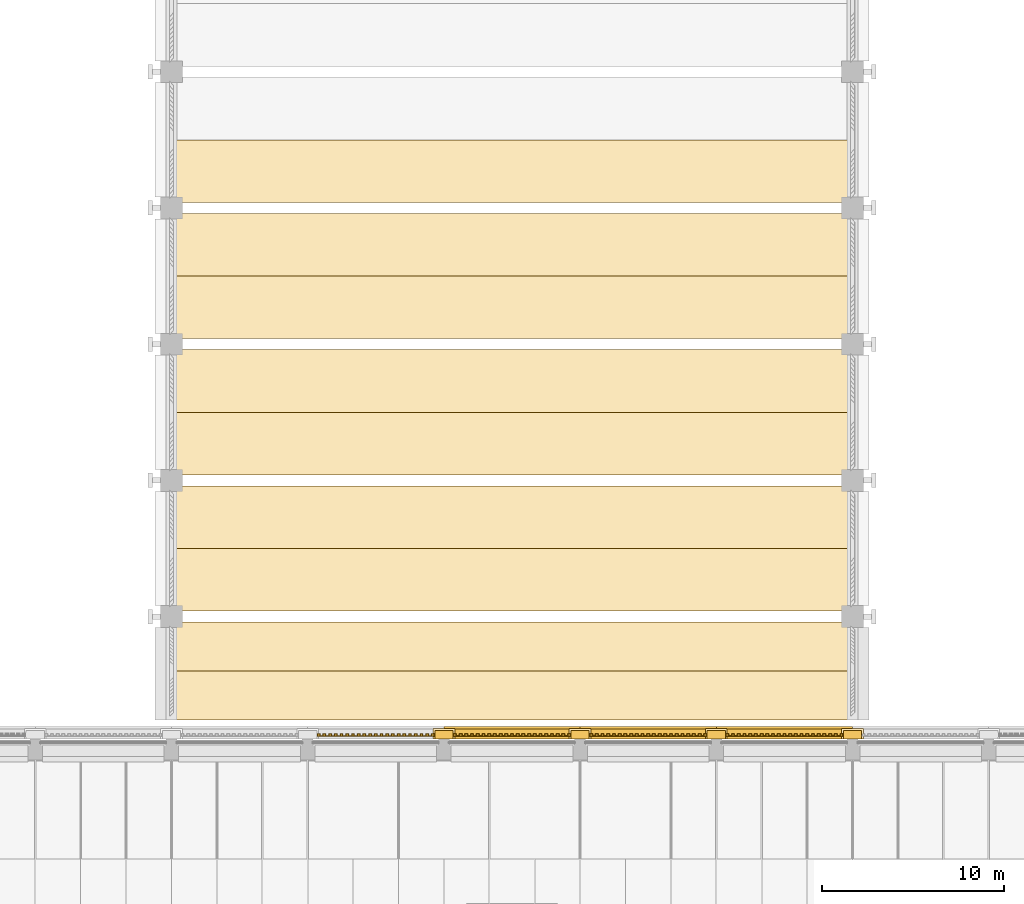
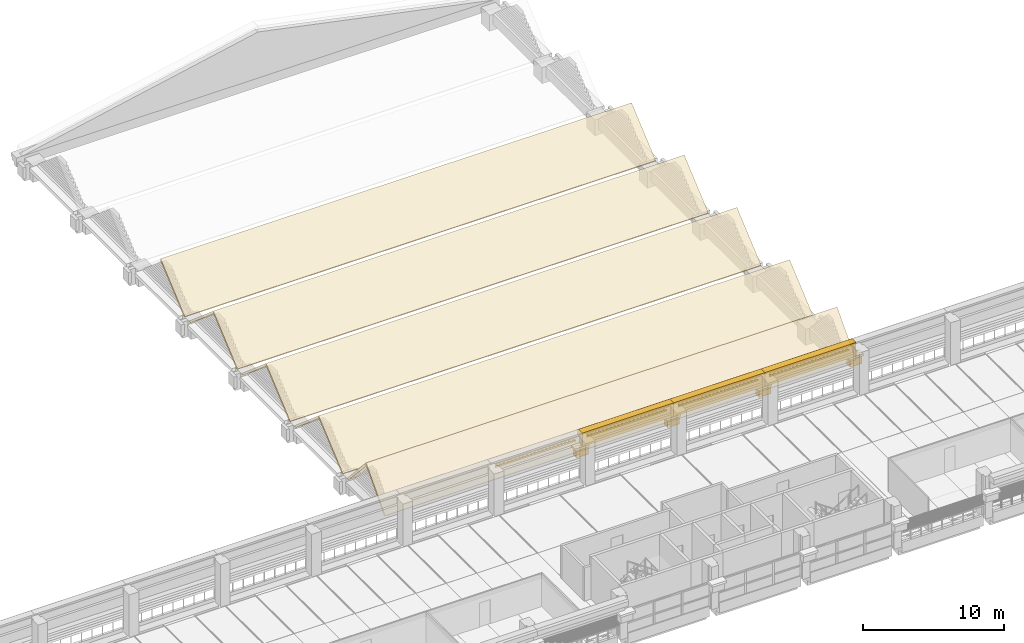
# One storey, part 54 of 71: 24 coverings, 5 elements without a shape of their own.
"""IFC4 building model written with IfcOpenShell, lengths in metres."""

from ifc_helpers import new_model, si_unit, direction, frame, origin, place, context, subcontext, project, spatial, polyline, outline, extrude, material, layer, layer_set, material_profile, profile_set, type_object, element, aggregate, save


model = new_model("IFC4")

# Units and contexts
model_context = context("Model", 3, precision=1e-05, world=origin(), true_north=direction((0.0, 1.0)))
body_context = subcontext(model_context, "Body", "Model", "MODEL_VIEW")
ifc_project = project(units=[si_unit("LENGTHUNIT", "METRE"), si_unit("AREAUNIT", "SQUARE_METRE"), si_unit("VOLUMEUNIT", "CUBIC_METRE"), si_unit("PLANEANGLEUNIT", "RADIAN"), si_unit("MASSUNIT", "GRAM", prefix="KILO")], contexts=[model_context])

# Site, building, storey
site_placement = place(None, origin())
site = spatial("IfcSite", under=ifc_project, at=site_placement, CompositionType="ELEMENT")
building_placement = place(site_placement, origin())
building = spatial("IfcBuilding", under=site, at=building_placement, Name="Cour d'Honneur Mobility Palace", CompositionType="ELEMENT")
storey_placement = place(building_placement, frame((0.0, 0.0, 15.60009765625)))
storey = spatial("IfcBuildingStorey", under=building, at=storey_placement, Name="L04", CompositionType="ELEMENT", Elevation=15.60009765625)

# Coverings
ifc_material_1 = material(Name="Cast limestone", Category="masonry")
ifc_layer_1 = layer(ifc_material_1, 0.14990234375)
ifc_layer_set_1 = layer_set([ifc_layer_1], Name="Cast limestone")
covering_type_1 = type_object("IfcCoveringType", Name="Dentil course", PredefinedType="CLADDING", material=ifc_layer_set_1)
covering_1_placement = place(storey_placement, frame((0.0, 0.0, 3.14990234375)))
element("IfcCovering", 1, at=covering_1_placement, inside=storey, type_object=covering_type_1, Name="Dentil course DC-101", PredefinedType="CLADDING", context=body_context, shape_type="SweptSolid", body=[
    extrude(outline(polyline([(99.449951171875, 63.300048828125), (92.85009765625, 63.300048828125), (92.85009765625, 63.330078125), (92.85009765625, 63.330078125), (92.928466796875, 63.330078125), (92.928466796875, 63.449951171875), (93.085693359375, 63.449951171875), (93.085693359375, 63.330078125), (93.164306640625, 63.330078125), (93.164306640625, 63.330078125), (93.242919921875, 63.330078125), (93.242919921875, 63.449951171875), (93.39990234375, 63.449951171875), (93.39990234375, 63.330078125), (93.478515625, 63.330078125), (93.478515625, 63.330078125), (93.55712890625, 63.330078125), (93.55712890625, 63.449951171875), (93.71435546875, 63.449951171875), (93.71435546875, 63.330078125), (93.79296875, 63.330078125), (93.79296875, 63.330078125), (93.871337890625, 63.330078125), (93.871337890625, 63.449951171875), (94.028564453125, 63.449951171875), (94.028564453125, 63.330078125), (94.107177734375, 63.330078125), (94.107177734375, 63.330078125), (94.185791015625, 63.330078125), (94.185791015625, 63.449951171875), (94.3427734375, 63.449951171875), (94.3427734375, 63.330078125), (94.42138671875, 63.330078125), (94.42138671875, 63.330078125), (94.5, 63.330078125), (94.5, 63.449951171875), (94.6572265625, 63.449951171875), (94.6572265625, 63.330078125), (94.735595703125, 63.330078125), (94.735595703125, 63.330078125), (94.814208984375, 63.330078125), (94.814208984375, 63.449951171875), (94.971435546875, 63.449951171875), (94.971435546875, 63.330078125), (95.050048828125, 63.330078125), (95.050048828125, 63.330078125), (95.128662109375, 63.330078125), (95.128662109375, 63.449951171875), (95.28564453125, 63.449951171875), (95.28564453125, 63.330078125), (95.3642578125, 63.330078125), (95.3642578125, 63.330078125), (95.44287109375, 63.330078125), (95.44287109375, 63.449951171875), (95.60009765625, 63.449951171875), (95.60009765625, 63.330078125), (95.678466796875, 63.330078125), (95.678466796875, 63.330078125), (95.757080078125, 63.330078125), (95.757080078125, 63.449951171875), (95.914306640625, 63.449951171875), (95.914306640625, 63.330078125), (95.992919921875, 63.330078125), (95.992919921875, 63.330078125), (96.071533203125, 63.330078125), (96.071533203125, 63.449951171875), (96.228515625, 63.449951171875), (96.228515625, 63.330078125), (96.30712890625, 63.330078125), (96.30712890625, 63.330078125), (96.3857421875, 63.330078125), (96.3857421875, 63.449951171875), (96.54296875, 63.449951171875), (96.54296875, 63.330078125), (96.621337890625, 63.330078125), (96.621337890625, 63.330078125), (96.699951171875, 63.330078125), (96.699951171875, 63.449951171875), (96.857177734375, 63.449951171875), (96.857177734375, 63.330078125), (96.935791015625, 63.330078125), (96.935791015625, 63.330078125), (97.014404296875, 63.330078125), (97.014404296875, 63.449951171875), (97.17138671875, 63.449951171875), (97.17138671875, 63.330078125), (97.25, 63.330078125), (97.25, 63.330078125), (97.32861328125, 63.330078125), (97.32861328125, 63.449951171875), (97.485595703125, 63.449951171875), (97.485595703125, 63.330078125), (97.564208984375, 63.330078125), (97.564208984375, 63.330078125), (97.642822265625, 63.330078125), (97.642822265625, 63.449951171875), (97.800048828125, 63.449951171875), (97.800048828125, 63.330078125), (97.878662109375, 63.330078125), (97.878662109375, 63.330078125), (97.95703125, 63.330078125), (97.95703125, 63.449951171875), (98.1142578125, 63.449951171875), (98.1142578125, 63.330078125), (98.19287109375, 63.330078125), (98.19287109375, 63.330078125), (98.271484375, 63.330078125), (98.271484375, 63.449951171875), (98.428466796875, 63.449951171875), (98.428466796875, 63.330078125), (98.507080078125, 63.330078125), (98.507080078125, 63.330078125), (98.585693359375, 63.330078125), (98.585693359375, 63.449951171875), (98.742919921875, 63.449951171875), (98.742919921875, 63.330078125), (98.821533203125, 63.330078125), (98.821533203125, 63.330078125), (98.89990234375, 63.330078125), (98.89990234375, 63.449951171875), (99.05712890625, 63.449951171875), (99.05712890625, 63.330078125), (99.1357421875, 63.330078125), (99.1357421875, 63.330078125), (99.21435546875, 63.330078125), (99.21435546875, 63.449951171875), (99.371337890625, 63.449951171875), (99.371337890625, 63.330078125), (99.449951171875, 63.330078125), (99.449951171875, 63.300048828125)])), origin(), (0.0, 0.0, 1.0), 0.14990234375),
])
covering_2_placement = place(storey_placement, frame((0.0, 0.0, 3.14990234375)))
element("IfcCovering", 2, at=covering_2_placement, inside=storey, type_object=covering_type_1, Name="Dentil course DC-102", PredefinedType="CLADDING", context=body_context, shape_type="SweptSolid", body=[
    extrude(outline(polyline([(91.949951171875, 63.300048828125), (85.35009765625, 63.300048828125), (85.35009765625, 63.330078125), (85.35009765625, 63.330078125), (85.428466796875, 63.330078125), (85.428466796875, 63.449951171875), (85.585693359375, 63.449951171875), (85.585693359375, 63.330078125), (85.664306640625, 63.330078125), (85.664306640625, 63.330078125), (85.742919921875, 63.330078125), (85.742919921875, 63.449951171875), (85.89990234375, 63.449951171875), (85.89990234375, 63.330078125), (85.978515625, 63.330078125), (85.978515625, 63.330078125), (86.05712890625, 63.330078125), (86.05712890625, 63.449951171875), (86.21435546875, 63.449951171875), (86.21435546875, 63.330078125), (86.29296875, 63.330078125), (86.29296875, 63.330078125), (86.371337890625, 63.330078125), (86.371337890625, 63.449951171875), (86.528564453125, 63.449951171875), (86.528564453125, 63.330078125), (86.607177734375, 63.330078125), (86.607177734375, 63.330078125), (86.685791015625, 63.330078125), (86.685791015625, 63.449951171875), (86.8427734375, 63.449951171875), (86.8427734375, 63.330078125), (86.92138671875, 63.330078125), (86.92138671875, 63.330078125), (87.0, 63.330078125), (87.0, 63.449951171875), (87.1572265625, 63.449951171875), (87.1572265625, 63.330078125), (87.235595703125, 63.330078125), (87.235595703125, 63.330078125), (87.314208984375, 63.330078125), (87.314208984375, 63.449951171875), (87.471435546875, 63.449951171875), (87.471435546875, 63.330078125), (87.550048828125, 63.330078125), (87.550048828125, 63.330078125), (87.628662109375, 63.330078125), (87.628662109375, 63.449951171875), (87.78564453125, 63.449951171875), (87.78564453125, 63.330078125), (87.8642578125, 63.330078125), (87.8642578125, 63.330078125), (87.94287109375, 63.330078125), (87.94287109375, 63.449951171875), (88.10009765625, 63.449951171875), (88.10009765625, 63.330078125), (88.178466796875, 63.330078125), (88.178466796875, 63.330078125), (88.257080078125, 63.330078125), (88.257080078125, 63.449951171875), (88.414306640625, 63.449951171875), (88.414306640625, 63.330078125), (88.492919921875, 63.330078125), (88.492919921875, 63.330078125), (88.571533203125, 63.330078125), (88.571533203125, 63.449951171875), (88.728515625, 63.449951171875), (88.728515625, 63.330078125), (88.80712890625, 63.330078125), (88.80712890625, 63.330078125), (88.8857421875, 63.330078125), (88.8857421875, 63.449951171875), (89.04296875, 63.449951171875), (89.04296875, 63.330078125), (89.121337890625, 63.330078125), (89.121337890625, 63.330078125), (89.199951171875, 63.330078125), (89.199951171875, 63.449951171875), (89.357177734375, 63.449951171875), (89.357177734375, 63.330078125), (89.435791015625, 63.330078125), (89.435791015625, 63.330078125), (89.514404296875, 63.330078125), (89.514404296875, 63.449951171875), (89.67138671875, 63.449951171875), (89.67138671875, 63.330078125), (89.75, 63.330078125), (89.75, 63.330078125), (89.82861328125, 63.330078125), (89.82861328125, 63.449951171875), (89.985595703125, 63.449951171875), (89.985595703125, 63.330078125), (90.064208984375, 63.330078125), (90.064208984375, 63.330078125), (90.142822265625, 63.330078125), (90.142822265625, 63.449951171875), (90.300048828125, 63.449951171875), (90.300048828125, 63.330078125), (90.378662109375, 63.330078125), (90.378662109375, 63.330078125), (90.45703125, 63.330078125), (90.45703125, 63.449951171875), (90.6142578125, 63.449951171875), (90.6142578125, 63.330078125), (90.69287109375, 63.330078125), (90.69287109375, 63.330078125), (90.771484375, 63.330078125), (90.771484375, 63.449951171875), (90.928466796875, 63.449951171875), (90.928466796875, 63.330078125), (91.007080078125, 63.330078125), (91.007080078125, 63.330078125), (91.085693359375, 63.330078125), (91.085693359375, 63.449951171875), (91.242919921875, 63.449951171875), (91.242919921875, 63.330078125), (91.321533203125, 63.330078125), (91.321533203125, 63.330078125), (91.39990234375, 63.330078125), (91.39990234375, 63.449951171875), (91.55712890625, 63.449951171875), (91.55712890625, 63.330078125), (91.6357421875, 63.330078125), (91.6357421875, 63.330078125), (91.71435546875, 63.330078125), (91.71435546875, 63.449951171875), (91.871337890625, 63.449951171875), (91.871337890625, 63.330078125), (91.949951171875, 63.330078125), (91.949951171875, 63.300048828125)])), origin(), (0.0, 0.0, 1.0), 0.14990234375),
])
covering_3_placement = place(storey_placement, frame((0.0, 0.0, 3.14990234375)))
element("IfcCovering", 3, at=covering_3_placement, inside=storey, type_object=covering_type_1, Name="Dentil course DC-103", PredefinedType="CLADDING", context=body_context, shape_type="SweptSolid", body=[
    extrude(outline(polyline([(84.449951171875, 63.300048828125), (77.85009765625, 63.300048828125), (77.85009765625, 63.330078125), (77.85009765625, 63.330078125), (77.928466796875, 63.330078125), (77.928466796875, 63.449951171875), (78.085693359375, 63.449951171875), (78.085693359375, 63.330078125), (78.164306640625, 63.330078125), (78.164306640625, 63.330078125), (78.242919921875, 63.330078125), (78.242919921875, 63.449951171875), (78.39990234375, 63.449951171875), (78.39990234375, 63.330078125), (78.478515625, 63.330078125), (78.478515625, 63.330078125), (78.55712890625, 63.330078125), (78.55712890625, 63.449951171875), (78.71435546875, 63.449951171875), (78.71435546875, 63.330078125), (78.79296875, 63.330078125), (78.79296875, 63.330078125), (78.871337890625, 63.330078125), (78.871337890625, 63.449951171875), (79.028564453125, 63.449951171875), (79.028564453125, 63.330078125), (79.107177734375, 63.330078125), (79.107177734375, 63.330078125), (79.185791015625, 63.330078125), (79.185791015625, 63.449951171875), (79.3427734375, 63.449951171875), (79.3427734375, 63.330078125), (79.42138671875, 63.330078125), (79.42138671875, 63.330078125), (79.5, 63.330078125), (79.5, 63.449951171875), (79.6572265625, 63.449951171875), (79.6572265625, 63.330078125), (79.735595703125, 63.330078125), (79.735595703125, 63.330078125), (79.814208984375, 63.330078125), (79.814208984375, 63.449951171875), (79.971435546875, 63.449951171875), (79.971435546875, 63.330078125), (80.050048828125, 63.330078125), (80.050048828125, 63.330078125), (80.128662109375, 63.330078125), (80.128662109375, 63.449951171875), (80.28564453125, 63.449951171875), (80.28564453125, 63.330078125), (80.3642578125, 63.330078125), (80.3642578125, 63.330078125), (80.44287109375, 63.330078125), (80.44287109375, 63.449951171875), (80.60009765625, 63.449951171875), (80.60009765625, 63.330078125), (80.678466796875, 63.330078125), (80.678466796875, 63.330078125), (80.757080078125, 63.330078125), (80.757080078125, 63.449951171875), (80.914306640625, 63.449951171875), (80.914306640625, 63.330078125), (80.992919921875, 63.330078125), (80.992919921875, 63.330078125), (81.071533203125, 63.330078125), (81.071533203125, 63.449951171875), (81.228515625, 63.449951171875), (81.228515625, 63.330078125), (81.30712890625, 63.330078125), (81.30712890625, 63.330078125), (81.3857421875, 63.330078125), (81.3857421875, 63.449951171875), (81.54296875, 63.449951171875), (81.54296875, 63.330078125), (81.621337890625, 63.330078125), (81.621337890625, 63.330078125), (81.699951171875, 63.330078125), (81.699951171875, 63.449951171875), (81.857177734375, 63.449951171875), (81.857177734375, 63.330078125), (81.935791015625, 63.330078125), (81.935791015625, 63.330078125), (82.014404296875, 63.330078125), (82.014404296875, 63.449951171875), (82.17138671875, 63.449951171875), (82.17138671875, 63.330078125), (82.25, 63.330078125), (82.25, 63.330078125), (82.32861328125, 63.330078125), (82.32861328125, 63.449951171875), (82.485595703125, 63.449951171875), (82.485595703125, 63.330078125), (82.564208984375, 63.330078125), (82.564208984375, 63.330078125), (82.642822265625, 63.330078125), (82.642822265625, 63.449951171875), (82.800048828125, 63.449951171875), (82.800048828125, 63.330078125), (82.878662109375, 63.330078125), (82.878662109375, 63.330078125), (82.95703125, 63.330078125), (82.95703125, 63.449951171875), (83.1142578125, 63.449951171875), (83.1142578125, 63.330078125), (83.19287109375, 63.330078125), (83.19287109375, 63.330078125), (83.271484375, 63.330078125), (83.271484375, 63.449951171875), (83.428466796875, 63.449951171875), (83.428466796875, 63.330078125), (83.507080078125, 63.330078125), (83.507080078125, 63.330078125), (83.585693359375, 63.330078125), (83.585693359375, 63.449951171875), (83.742919921875, 63.449951171875), (83.742919921875, 63.330078125), (83.821533203125, 63.330078125), (83.821533203125, 63.330078125), (83.89990234375, 63.330078125), (83.89990234375, 63.449951171875), (84.05712890625, 63.449951171875), (84.05712890625, 63.330078125), (84.1357421875, 63.330078125), (84.1357421875, 63.330078125), (84.21435546875, 63.330078125), (84.21435546875, 63.449951171875), (84.371337890625, 63.449951171875), (84.371337890625, 63.330078125), (84.449951171875, 63.330078125), (84.449951171875, 63.300048828125)])), origin(), (0.0, 0.0, 1.0), 0.14990234375),
])
covering_4_placement = place(storey_placement, frame((0.0, 0.0, 3.14990234375)))
element("IfcCovering", 4, at=covering_4_placement, inside=storey, type_object=covering_type_1, Name="Dentil course DC-104", PredefinedType="CLADDING", context=body_context, shape_type="SweptSolid", body=[
    extrude(outline(polyline([(76.949951171875, 63.300048828125), (70.35009765625, 63.300048828125), (70.35009765625, 63.330078125), (70.35009765625, 63.330078125), (70.428466796875, 63.330078125), (70.428466796875, 63.449951171875), (70.585693359375, 63.449951171875), (70.585693359375, 63.330078125), (70.664306640625, 63.330078125), (70.664306640625, 63.330078125), (70.742919921875, 63.330078125), (70.742919921875, 63.449951171875), (70.89990234375, 63.449951171875), (70.89990234375, 63.330078125), (70.978515625, 63.330078125), (70.978515625, 63.330078125), (71.05712890625, 63.330078125), (71.05712890625, 63.449951171875), (71.21435546875, 63.449951171875), (71.21435546875, 63.330078125), (71.29296875, 63.330078125), (71.29296875, 63.330078125), (71.371337890625, 63.330078125), (71.371337890625, 63.449951171875), (71.528564453125, 63.449951171875), (71.528564453125, 63.330078125), (71.607177734375, 63.330078125), (71.607177734375, 63.330078125), (71.685791015625, 63.330078125), (71.685791015625, 63.449951171875), (71.8427734375, 63.449951171875), (71.8427734375, 63.330078125), (71.92138671875, 63.330078125), (71.92138671875, 63.330078125), (72.0, 63.330078125), (72.0, 63.449951171875), (72.1572265625, 63.449951171875), (72.1572265625, 63.330078125), (72.235595703125, 63.330078125), (72.235595703125, 63.330078125), (72.314208984375, 63.330078125), (72.314208984375, 63.449951171875), (72.471435546875, 63.449951171875), (72.471435546875, 63.330078125), (72.550048828125, 63.330078125), (72.550048828125, 63.330078125), (72.628662109375, 63.330078125), (72.628662109375, 63.449951171875), (72.78564453125, 63.449951171875), (72.78564453125, 63.330078125), (72.8642578125, 63.330078125), (72.8642578125, 63.330078125), (72.94287109375, 63.330078125), (72.94287109375, 63.449951171875), (73.10009765625, 63.449951171875), (73.10009765625, 63.330078125), (73.178466796875, 63.330078125), (73.178466796875, 63.330078125), (73.257080078125, 63.330078125), (73.257080078125, 63.449951171875), (73.414306640625, 63.449951171875), (73.414306640625, 63.330078125), (73.492919921875, 63.330078125), (73.492919921875, 63.330078125), (73.571533203125, 63.330078125), (73.571533203125, 63.449951171875), (73.728515625, 63.449951171875), (73.728515625, 63.330078125), (73.80712890625, 63.330078125), (73.80712890625, 63.330078125), (73.8857421875, 63.330078125), (73.8857421875, 63.449951171875), (74.04296875, 63.449951171875), (74.04296875, 63.330078125), (74.121337890625, 63.330078125), (74.121337890625, 63.330078125), (74.199951171875, 63.330078125), (74.199951171875, 63.449951171875), (74.357177734375, 63.449951171875), (74.357177734375, 63.330078125), (74.435791015625, 63.330078125), (74.435791015625, 63.330078125), (74.514404296875, 63.330078125), (74.514404296875, 63.449951171875), (74.67138671875, 63.449951171875), (74.67138671875, 63.330078125), (74.75, 63.330078125), (74.75, 63.330078125), (74.82861328125, 63.330078125), (74.82861328125, 63.449951171875), (74.985595703125, 63.449951171875), (74.985595703125, 63.330078125), (75.064208984375, 63.330078125), (75.064208984375, 63.330078125), (75.142822265625, 63.330078125), (75.142822265625, 63.449951171875), (75.300048828125, 63.449951171875), (75.300048828125, 63.330078125), (75.378662109375, 63.330078125), (75.378662109375, 63.330078125), (75.45703125, 63.330078125), (75.45703125, 63.449951171875), (75.6142578125, 63.449951171875), (75.6142578125, 63.330078125), (75.69287109375, 63.330078125), (75.69287109375, 63.330078125), (75.771484375, 63.330078125), (75.771484375, 63.449951171875), (75.928466796875, 63.449951171875), (75.928466796875, 63.330078125), (76.007080078125, 63.330078125), (76.007080078125, 63.330078125), (76.085693359375, 63.330078125), (76.085693359375, 63.449951171875), (76.242919921875, 63.449951171875), (76.242919921875, 63.330078125), (76.321533203125, 63.330078125), (76.321533203125, 63.330078125), (76.39990234375, 63.330078125), (76.39990234375, 63.449951171875), (76.55712890625, 63.449951171875), (76.55712890625, 63.330078125), (76.6357421875, 63.330078125), (76.6357421875, 63.330078125), (76.71435546875, 63.330078125), (76.71435546875, 63.449951171875), (76.871337890625, 63.449951171875), (76.871337890625, 63.330078125), (76.949951171875, 63.330078125), (76.949951171875, 63.300048828125)])), origin(), (0.0, 0.0, 1.0), 0.14990234375),
])
ifc_material_2 = material(Name="Cast limestone", Category="masonry")
ifc_layer_2 = layer(ifc_material_2, 0.699951171875)
ifc_layer_set_2 = layer_set([ifc_layer_2], Name="Cast limestone")
covering_type_2 = type_object("IfcCoveringType", Name="Entablature", PredefinedType="CLADDING", material=ifc_layer_set_2)
for number, where, z_axis, x_axis, name in (
    (5, (99.89990234375, 63.14990234375, 2.599853515625), (1.0, 0.0, 0.0), (0.0, 1.0, 0.0), "Entablature EN-101"),
    (6, (92.39990234375, 63.14990234375, 2.599853515625), (1.0, 0.0, 0.0), (0.0, 1.0, 0.0), "Entablature EN-102"),
    (7, (84.89990234375, 63.14990234375, 2.599853515625), (1.0, 0.0, 0.0), (0.0, 1.0, 0.0), "Entablature EN-103"),
):
    element("IfcCovering", number, at=place(storey_placement, frame(where, z_axis=z_axis, x_axis=x_axis)), inside=storey, type_object=covering_type_2, Name=name, PredefinedType="CLADDING", context=body_context, shape_type="SweptSolid", body=[
        extrude(outline(polyline([(0.0, 0.0), (0.150146484375, 0.0), (0.150146484375, 0.699951171875), (0.7001953125, 0.699951171875), (0.7001953125, 1.10009765625), (0.550048828125, 1.199951171875), (0.0, 1.199951171875), (0.0, 0.0)])), origin(), (0.0, 0.0, -1.0), 7.5),
    ])

# Roof, coverings
ifc_material_3 = material(Name="Concrete C50", Category="concrete")
ifc_layer_3 = layer(ifc_material_3, 0.179931640625)
ifc_layer_set_3 = layer_set([ifc_layer_3], Name="Concrete C50")
roof_type = type_object("IfcRoofType", Name="Folded plate roof", PredefinedType="FREEFORM", material=ifc_layer_set_3)
roof_1_placement = place(storey_placement, origin())
roof_1 = element("IfcRoof", 8, at=roof_1_placement, inside=storey, type_object=roof_type, Name="Folded unit FU1", PredefinedType="FREEFORM")
ifc_material_4 = material(Name="Concrete C50", Category="concrete")
ifc_material_profile_1 = material_profile(ifc_material_4, outline(polyline([(2.699951171875, 0.0), (2.5, 0.0), (0.0, 2.7333984375), (0.0, 3.0), (2.699951171875, 0.048095703125), (2.699951171875, 0.0)])), Name="Folded roof plate 6000 mm bay falling")
ifc_profile_set_1 = profile_set([ifc_material_profile_1], Name="Concrete C50")
covering_type_3 = type_object("IfcCoveringType", Name="Folded roof plate 6000 mm bay falling", PredefinedType="ROOFING", material=ifc_profile_set_1)
covering_5_placement = place(storey_placement, frame((61.800048828125, 66.89990234375, 1.39990234375), z_axis=(1.0, 0.0, 0.0), x_axis=(0.0, 1.0, 0.0)))
covering_5 = element("IfcCovering", 9, at=covering_5_placement, type_object=covering_type_3, Name="Folded roof plate FP2", PredefinedType="ROOFING", context=body_context, shape_type="SweptSolid", body=[
    extrude(outline(polyline([(2.699951171875, 0.0), (2.5, 0.0), (0.0, 2.7333984375), (0.0, 3.0), (2.699951171875, 0.048095703125), (2.699951171875, 0.0)])), origin(), (0.0, 0.0, 1.0), 38.699951171875),
])
ifc_material_5 = material(Name="Concrete C50", Category="concrete")
ifc_material_profile_2 = material_profile(ifc_material_5, outline(polyline([(-2.699951171875, 0.048095703125), (0.0, 3.0), (0.0, 2.7333984375), (-2.5, 0.0), (-2.699951171875, 0.0), (-2.699951171875, 0.048095703125)])), Name="Folded roof plate 6000 mm bay rising")
ifc_profile_set_2 = profile_set([ifc_material_profile_2], Name="Concrete C50")
covering_type_4 = type_object("IfcCoveringType", Name="Folded roof plate 6000 mm bay rising", PredefinedType="ROOFING", material=ifc_profile_set_2)
covering_6_placement = place(storey_placement, frame((61.800048828125, 66.89990234375, 1.39990234375), z_axis=(1.0, 0.0, 0.0), x_axis=(0.0, 1.0, 0.0)))
covering_6 = element("IfcCovering", 10, at=covering_6_placement, type_object=covering_type_4, Name="Folded roof plate FP1", PredefinedType="ROOFING", context=body_context, shape_type="SweptSolid", body=[
    extrude(outline(polyline([(-2.699951171875, 0.048095703125), (0.0, 3.0), (0.0, 2.7333984375), (-2.5, 0.0), (-2.699951171875, 0.0), (-2.699951171875, 0.048095703125)])), origin(), (0.0, 0.0, 1.0), 38.699951171875),
])
aggregate(roof_1, [covering_6, covering_5])

# Roof, covering
roof_2_placement = place(storey_placement, origin())
roof_2 = element("IfcRoof", 11, at=roof_2_placement, inside=storey, type_object=roof_type, Name="Folded unit FU2", PredefinedType="FREEFORM")
ifc_material_6 = material(Name="Concrete C50", Category="concrete")
ifc_material_profile_3 = material_profile(ifc_material_6, outline(polyline([(3.449951171875, 0.0), (3.25, 0.0), (0.0, 2.763671875), (0.0, 3.0), (3.449951171875, 0.066162109375), (3.449951171875, 0.0)])), Name="Folded roof plate 7500 mm bay falling")
ifc_profile_set_3 = profile_set([ifc_material_profile_3], Name="Concrete C50")
covering_type_5 = type_object("IfcCoveringType", Name="Folded roof plate 7500 mm bay falling", PredefinedType="ROOFING", material=ifc_profile_set_3)
covering_7_placement = place(storey_placement, frame((61.800048828125, 73.64990234375, 1.39990234375), z_axis=(1.0, 0.0, 0.0), x_axis=(0.0, 1.0, 0.0)))
covering_7 = element("IfcCovering", 12, at=covering_7_placement, type_object=covering_type_5, Name="Folded roof plate FP4", PredefinedType="ROOFING", context=body_context, shape_type="SweptSolid", body=[
    extrude(outline(polyline([(3.449951171875, 0.0), (3.25, 0.0), (0.0, 2.763671875), (0.0, 3.0), (3.449951171875, 0.066162109375), (3.449951171875, 0.0)])), origin(), (0.0, 0.0, 1.0), 38.699951171875),
])

roof_3_placement = place(storey_placement, origin())
roof_3 = element("IfcRoof", 13, at=roof_3_placement, inside=storey, type_object=roof_type, Name="Folded unit FU3", PredefinedType="FREEFORM")
covering_8_placement = place(storey_placement, frame((61.800048828125, 81.14990234375, 1.39990234375), z_axis=(1.0, 0.0, 0.0), x_axis=(0.0, 1.0, 0.0)))
covering_8 = element("IfcCovering", 14, at=covering_8_placement, type_object=covering_type_5, Name="Folded roof plate FP6", PredefinedType="ROOFING", context=body_context, shape_type="SweptSolid", body=[
    extrude(outline(polyline([(3.449951171875, 0.0), (3.25, 0.0), (0.0, 2.763671875), (0.0, 3.0), (3.449951171875, 0.066162109375), (3.449951171875, 0.0)])), origin(), (0.0, 0.0, 1.0), 38.699951171875),
])

roof_4_placement = place(storey_placement, origin())
roof_4 = element("IfcRoof", 15, at=roof_4_placement, inside=storey, type_object=roof_type, Name="Folded unit FU4", PredefinedType="FREEFORM")
covering_9_placement = place(storey_placement, frame((61.800048828125, 88.64990234375, 1.39990234375), z_axis=(1.0, 0.0, 0.0), x_axis=(0.0, 1.0, 0.0)))
covering_9 = element("IfcCovering", 16, at=covering_9_placement, type_object=covering_type_5, Name="Folded roof plate FP8", PredefinedType="ROOFING", context=body_context, shape_type="SweptSolid", body=[
    extrude(outline(polyline([(3.449951171875, 0.0), (3.25, 0.0), (0.0, 2.763671875), (0.0, 3.0), (3.449951171875, 0.066162109375), (3.449951171875, 0.0)])), origin(), (0.0, 0.0, 1.0), 38.699951171875),
])

# Covering
ifc_material_7 = material(Name="Concrete C50", Category="concrete")
ifc_material_profile_4 = material_profile(ifc_material_7, outline(polyline([(-3.449951171875, 0.066162109375), (0.0, 3.0), (0.0, 2.763671875), (-3.25, 0.0), (-3.449951171875, 0.0), (-3.449951171875, 0.066162109375)])), Name="Folded roof plate 7500 mm bay rising")
ifc_profile_set_4 = profile_set([ifc_material_profile_4], Name="Concrete C50")
covering_type_6 = type_object("IfcCoveringType", Name="Folded roof plate 7500 mm bay rising", PredefinedType="ROOFING", material=ifc_profile_set_4)
covering_10_placement = place(storey_placement, frame((61.800048828125, 73.64990234375, 1.39990234375), z_axis=(1.0, 0.0, 0.0), x_axis=(0.0, 1.0, 0.0)))
covering_10 = element("IfcCovering", 17, at=covering_10_placement, type_object=covering_type_6, Name="Folded roof plate FP3", PredefinedType="ROOFING", context=body_context, shape_type="SweptSolid", body=[
    extrude(outline(polyline([(-3.449951171875, 0.066162109375), (0.0, 3.0), (0.0, 2.763671875), (-3.25, 0.0), (-3.449951171875, 0.0), (-3.449951171875, 0.066162109375)])), origin(), (0.0, 0.0, 1.0), 38.699951171875),
])

aggregate(roof_2, [covering_10, covering_7])

covering_11_placement = place(storey_placement, frame((61.800048828125, 81.14990234375, 1.39990234375), z_axis=(1.0, 0.0, 0.0), x_axis=(0.0, 1.0, 0.0)))
covering_11 = element("IfcCovering", 18, at=covering_11_placement, type_object=covering_type_6, Name="Folded roof plate FP5", PredefinedType="ROOFING", context=body_context, shape_type="SweptSolid", body=[
    extrude(outline(polyline([(-3.449951171875, 0.066162109375), (0.0, 3.0), (0.0, 2.763671875), (-3.25, 0.0), (-3.449951171875, 0.0), (-3.449951171875, 0.066162109375)])), origin(), (0.0, 0.0, 1.0), 38.699951171875),
])

aggregate(roof_3, [covering_11, covering_8])

covering_12_placement = place(storey_placement, frame((61.800048828125, 88.64990234375, 1.39990234375), z_axis=(1.0, 0.0, 0.0), x_axis=(0.0, 1.0, 0.0)))
covering_12 = element("IfcCovering", 19, at=covering_12_placement, type_object=covering_type_6, Name="Folded roof plate FP7", PredefinedType="ROOFING", context=body_context, shape_type="SweptSolid", body=[
    extrude(outline(polyline([(-3.449951171875, 0.066162109375), (0.0, 3.0), (0.0, 2.763671875), (-3.25, 0.0), (-3.449951171875, 0.0), (-3.449951171875, 0.066162109375)])), origin(), (0.0, 0.0, 1.0), 38.699951171875),
])

aggregate(roof_4, [covering_12, covering_9])

# Roof, covering
roof_5_placement = place(storey_placement, origin())
roof_5 = element("IfcRoof", 20, at=roof_5_placement, inside=storey, type_object=roof_type, Name="Folded unit FU5", PredefinedType="FREEFORM")
covering_13_placement = place(storey_placement, frame((61.800048828125, 96.14990234375, 1.39990234375), z_axis=(1.0, 0.0, 0.0), x_axis=(0.0, 1.0, 0.0)))
covering_13 = element("IfcCovering", 21, at=covering_13_placement, type_object=covering_type_6, Name="Folded roof plate FP9", PredefinedType="ROOFING", context=body_context, shape_type="SweptSolid", body=[
    extrude(outline(polyline([(-3.449951171875, 0.066162109375), (0.0, 3.0), (0.0, 2.763671875), (-3.25, 0.0), (-3.449951171875, 0.0), (-3.449951171875, 0.066162109375)])), origin(), (0.0, 0.0, 1.0), 38.699951171875),
])
aggregate(roof_5, [covering_13])

# Coverings
ifc_material_8 = material(Name="Cast limestone", Category="masonry")
ifc_layer_4 = layer(ifc_material_8, 0.1201171875)
ifc_layer_set_4 = layer_set([ifc_layer_4], Name="Cast limestone")
covering_type_7 = type_object("IfcCoveringType", Name="Pilaster capital", PredefinedType="CLADDING", material=ifc_layer_set_4)
covering_14_placement = place(storey_placement, frame((0.0, 0.0, 1.7998046875)))
element("IfcCovering", 22, at=covering_14_placement, inside=storey, type_object=covering_type_7, Name="Pilaster capital PK-135", PredefinedType="CLADDING", context=body_context, shape_type="SweptSolid", body=[
    extrude(outline(polyline([(100.39990234375, 63.14990234375), (99.39990234375, 63.14990234375), (99.39990234375, 63.6201171875), (100.39990234375, 63.6201171875), (100.39990234375, 63.14990234375)])), origin(), (0.0, 0.0, 1.0), 0.6201171875),
])
covering_15_placement = place(storey_placement, frame((0.0, 0.0, 2.419921875)))
element("IfcCovering", 23, at=covering_15_placement, inside=storey, type_object=covering_type_7, Name="Pilaster capital PK-136", PredefinedType="CLADDING", context=body_context, shape_type="SweptSolid", body=[
    extrude(outline(polyline([(100.5, 63.14990234375), (99.300048828125, 63.14990234375), (99.300048828125, 63.75), (100.5, 63.75), (100.5, 63.14990234375)])), origin(), (0.0, 0.0, 1.0), 0.179931640625),
])
covering_16_placement = place(storey_placement, frame((0.0, 0.0, 1.7998046875)))
element("IfcCovering", 24, at=covering_16_placement, inside=storey, type_object=covering_type_7, Name="Pilaster capital PK-137", PredefinedType="CLADDING", context=body_context, shape_type="SweptSolid", body=[
    extrude(outline(polyline([(92.89990234375, 63.14990234375), (91.89990234375, 63.14990234375), (91.89990234375, 63.6201171875), (92.89990234375, 63.6201171875), (92.89990234375, 63.14990234375)])), origin(), (0.0, 0.0, 1.0), 0.6201171875),
])
covering_17_placement = place(storey_placement, frame((0.0, 0.0, 2.419921875)))
element("IfcCovering", 25, at=covering_17_placement, inside=storey, type_object=covering_type_7, Name="Pilaster capital PK-138", PredefinedType="CLADDING", context=body_context, shape_type="SweptSolid", body=[
    extrude(outline(polyline([(93.0, 63.14990234375), (91.800048828125, 63.14990234375), (91.800048828125, 63.75), (93.0, 63.75), (93.0, 63.14990234375)])), origin(), (0.0, 0.0, 1.0), 0.179931640625),
])
covering_18_placement = place(storey_placement, frame((0.0, 0.0, 1.7998046875)))
element("IfcCovering", 26, at=covering_18_placement, inside=storey, type_object=covering_type_7, Name="Pilaster capital PK-139", PredefinedType="CLADDING", context=body_context, shape_type="SweptSolid", body=[
    extrude(outline(polyline([(85.39990234375, 63.14990234375), (84.39990234375, 63.14990234375), (84.39990234375, 63.6201171875), (85.39990234375, 63.6201171875), (85.39990234375, 63.14990234375)])), origin(), (0.0, 0.0, 1.0), 0.6201171875),
])
covering_19_placement = place(storey_placement, frame((0.0, 0.0, 2.419921875)))
element("IfcCovering", 27, at=covering_19_placement, inside=storey, type_object=covering_type_7, Name="Pilaster capital PK-140", PredefinedType="CLADDING", context=body_context, shape_type="SweptSolid", body=[
    extrude(outline(polyline([(85.5, 63.14990234375), (84.300048828125, 63.14990234375), (84.300048828125, 63.75), (85.5, 63.75), (85.5, 63.14990234375)])), origin(), (0.0, 0.0, 1.0), 0.179931640625),
])
covering_20_placement = place(storey_placement, frame((0.0, 0.0, 1.7998046875)))
element("IfcCovering", 28, at=covering_20_placement, inside=storey, type_object=covering_type_7, Name="Pilaster capital PK-141", PredefinedType="CLADDING", context=body_context, shape_type="SweptSolid", body=[
    extrude(outline(polyline([(77.89990234375, 63.14990234375), (76.89990234375, 63.14990234375), (76.89990234375, 63.6201171875), (77.89990234375, 63.6201171875), (77.89990234375, 63.14990234375)])), origin(), (0.0, 0.0, 1.0), 0.6201171875),
])
covering_21_placement = place(storey_placement, frame((0.0, 0.0, 2.419921875)))
element("IfcCovering", 29, at=covering_21_placement, inside=storey, type_object=covering_type_7, Name="Pilaster capital PK-142", PredefinedType="CLADDING", context=body_context, shape_type="SweptSolid", body=[
    extrude(outline(polyline([(78.0, 63.14990234375), (76.800048828125, 63.14990234375), (76.800048828125, 63.75), (78.0, 63.75), (78.0, 63.14990234375)])), origin(), (0.0, 0.0, 1.0), 0.179931640625),
])

save(model, "model.ifc")
